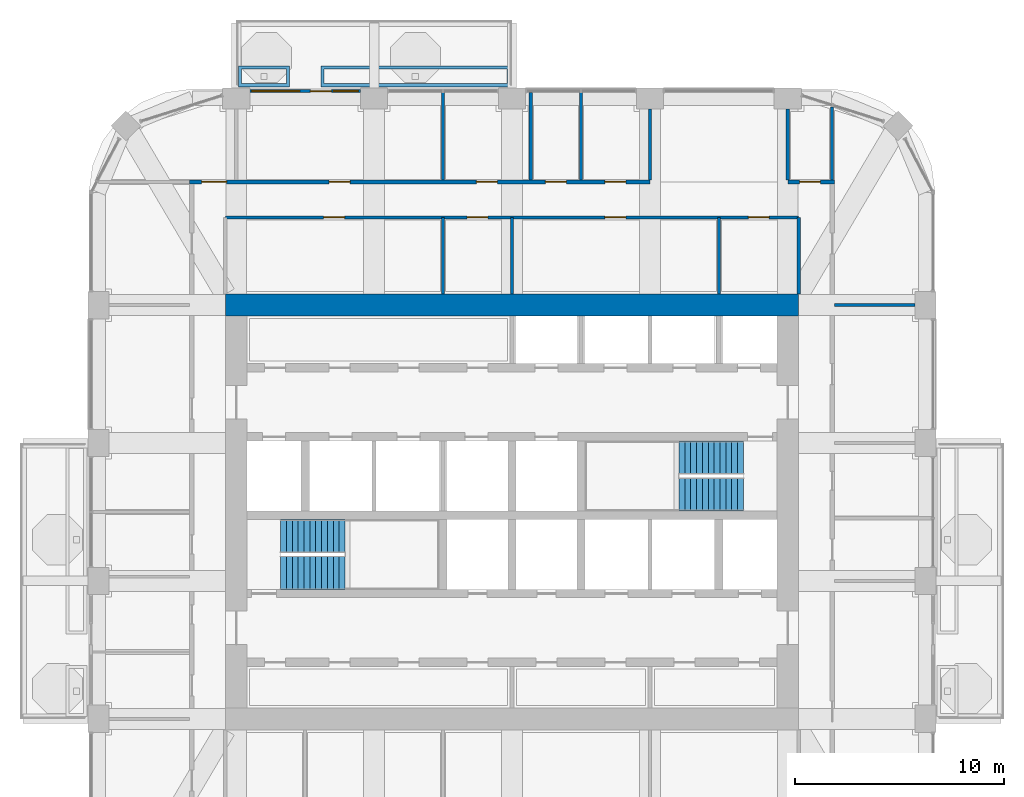
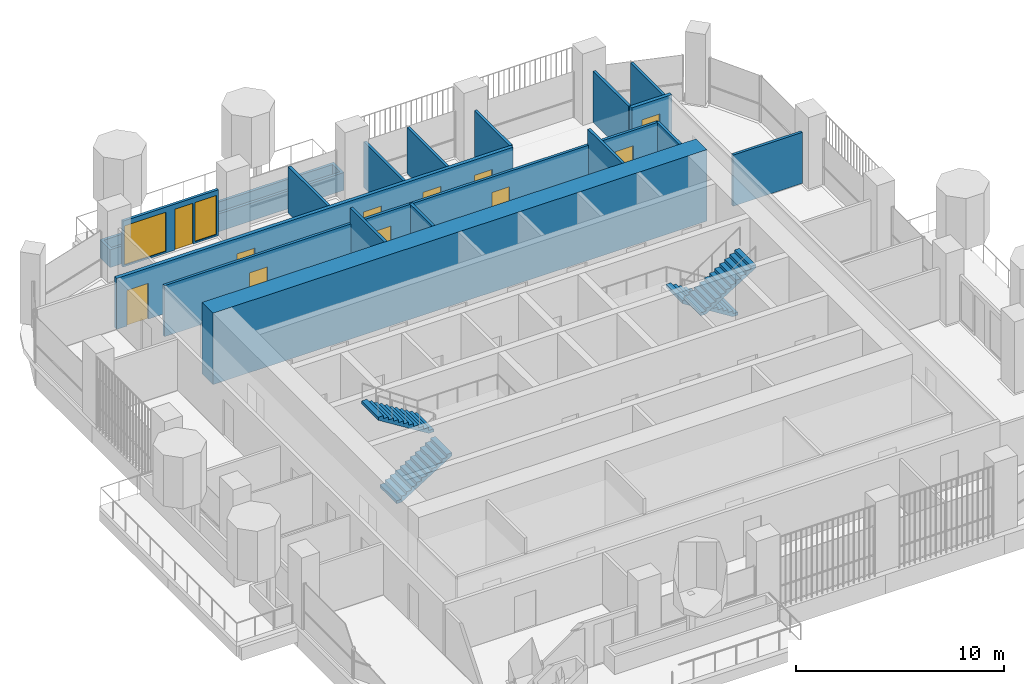
# One storey, part 15 of 20: 18 walls, 11 doors, 4 stair flights, 2 windows, 13 openings, 2 elements without a shape of their own.
"""IFC4 building model written with IfcOpenShell, lengths in metres."""

from ifc_helpers import new_model, si_unit, direction, frame, frame_2d, origin, place, context, subcontext, project, spatial, polyline, rectangle, outline, extrude, material, layer, layer_set, type_object, element, fill, aggregate, save


model = new_model("IFC4")

# Units and contexts
model_context = context("Model", 3, precision=1e-05, world=origin(), true_north=direction((0.0, 1.0)))
body_context = subcontext(model_context, "Body", "Model", "MODEL_VIEW")
ifc_project = project(units=[si_unit("LENGTHUNIT", "METRE"), si_unit("AREAUNIT", "SQUARE_METRE"), si_unit("VOLUMEUNIT", "CUBIC_METRE"), si_unit("PLANEANGLEUNIT", "RADIAN"), si_unit("MASSUNIT", "GRAM", prefix="KILO")], contexts=[model_context])

# Site, building, storey
site_placement = place(None, origin())
site = spatial("IfcSite", under=ifc_project, at=site_placement, CompositionType="ELEMENT")
building_placement = place(site_placement, origin())
building = spatial("IfcBuilding", under=site, at=building_placement, Name="Cobogo Forest Laboratory Tower", CompositionType="ELEMENT")
storey_placement = place(building_placement, frame((0.0, 0.0, 246.0)))
storey = spatial("IfcBuildingStorey", under=building, at=storey_placement, Name="L56", CompositionType="ELEMENT", Elevation=246.0)

# Wall
ifc_material_1 = material(Name="Concrete HA-50 (C50/60)", Category="concrete")
ifc_layer_1 = layer(ifc_material_1, 1.050048828125)
ifc_layer_set_1 = layer_set([ifc_layer_1], Name="CW1050 core outer wall 1050")
wall_type_1 = type_object("IfcWallType", Name="CW1050 core outer wall 1050", PredefinedType="SHEAR", material=ifc_layer_set_1)
wall_1_placement = place(storey_placement, frame((40.125, 33.0, 0.0), z_axis=(0.0, 0.0, 1.0), x_axis=(-1.0, 0.0, 0.0)))
element("IfcWall", 1, at=wall_1_placement, inside=storey, type_object=wall_type_1, Name="Core wall CO-N L56", PredefinedType="SHEAR", context=body_context, shape_type="SweptSolid", body=[
    extrude(rectangle(XDim=27.449951171875, YDim=1.050048828125, at=frame_2d((13.72509765625, 0.0))), origin(), (0.0, 0.0, 1.0), 4.199951171875),
])

# Wall, openings, door, windows
ifc_material_2 = material(Name="Aluminium framed glazed screen", Category="aluminium")
ifc_layer_2 = layer(ifc_material_2, 0.14990234375)
ifc_layer_set_2 = layer_set([ifc_layer_2], Name="GS1 glazed door screen 150")
wall_type_2 = type_object("IfcWallType", Name="GS1 glazed door screen 150", PredefinedType="SOLIDWALL", material=ifc_layer_set_2)
wall_2_placement = place(storey_placement, frame((19.14990234375, 43.25, 0.0), z_axis=(0.0, 0.0, 1.0), x_axis=(-1.0, 0.0, 0.0)))
wall_2 = element("IfcWall", 2, at=wall_2_placement, inside=storey, type_object=wall_type_2, Name="Door screen BAL-N1 L56", PredefinedType="SOLIDWALL", context=body_context, shape_type="SweptSolid", body=[
    extrude(rectangle(XDim=5.2998046875, YDim=0.14990234375, at=frame_2d((2.64990234375, 0.0))), origin(), (0.0, 0.0, 1.0), 2.699951171875),
])
opening_1_placement = place(wall_2_placement, frame((1.39990234375, 0.0, 0.0)))
opening_1 = element("IfcOpeningElement", 3, at=opening_1_placement, cuts=wall_2, Name="Opening L56-D52", PredefinedType="OPENING", context=body_context, shape_type="SweptSolid", body=[
    extrude(rectangle(XDim=1.0, YDim=2.39990234375, at=frame_2d((0.5, 1.199951171875))), frame((0.0, 0.0849609375, 0.0), z_axis=(0.0, -1.0, 0.0), x_axis=(1.0, 0.0, 0.0)), (0.0, 0.0, 1.0), 0.169921875),
])
opening_2_placement = place(wall_2_placement, frame((0.10009765625, 0.0, 0.10009765625)))
opening_2 = element("IfcOpeningElement", 4, at=opening_2_placement, cuts=wall_2, Name="Opening L56-W08", PredefinedType="OPENING", context=body_context, shape_type="SweptSolid", body=[
    extrude(rectangle(XDim=1.199951171875, YDim=2.300048828125, at=frame_2d((0.60009765625, 1.14990234375))), frame((0.0, 0.0849609375, 0.0), z_axis=(0.0, -1.0, 0.0), x_axis=(1.0, 0.0, 0.0)), (0.0, 0.0, 1.0), 0.169921875),
])
opening_3_placement = place(wall_2_placement, frame((2.89990234375, 0.0, 0.10009765625)))
opening_3 = element("IfcOpeningElement", 5, at=opening_3_placement, cuts=wall_2, Name="Opening L56-W07", PredefinedType="OPENING", context=body_context, shape_type="SweptSolid", body=[
    extrude(rectangle(XDim=2.300048828125, YDim=2.300048828125, at=frame_2d((1.14990234375, 1.14990234375))), frame((0.0, 0.0849609375, 0.0), z_axis=(0.0, -1.0, 0.0), x_axis=(1.0, 0.0, 0.0)), (0.0, 0.0, 1.0), 0.169921875),
])
ifc_material_3 = material(Name="Aluminium glazed door", Category="aluminium")
door_type_1 = type_object("IfcDoorType", Name="DB1 balcony door 1000 glazed", OperationType="SINGLE_SWING_LEFT", PredefinedType="DOOR", material=ifc_material_3)
door_1_placement = place(opening_1_placement, origin())
door_1 = element("IfcDoor", 6, at=door_1_placement, inside=storey, type_object=door_type_1, Name="Door L56-BAL-N1", OperationType="SINGLE_SWING_LEFT", OverallHeight=2.39990234375, OverallWidth=1.0, PredefinedType="DOOR", context=body_context, shape_type="SweptSolid", body=[
    extrude(rectangle(XDim=1.0, YDim=2.39990234375, at=frame_2d((0.5, 1.199951171875))), frame((0.0, 0.02490234375, 0.0), z_axis=(0.0, -1.0, 0.0), x_axis=(1.0, 0.0, 0.0)), (0.0, 0.0, 1.0), 0.050048828125),
])
fill(opening_1, door_1)
ifc_material_4 = material(Name="Aluminium framed glazing", Category="aluminium")
window_type_1 = type_object("IfcWindowType", Name="WG21 fixed glazed light 2300x2300", PartitioningType="SINGLE_PANEL", PredefinedType="WINDOW", material=ifc_material_4)
window_1_placement = place(opening_3_placement, origin())
window_1 = element("IfcWindow", 7, at=window_1_placement, inside=storey, type_object=window_type_1, Name="Window L56-BAL-N1-2", OverallHeight=2.300048828125, OverallWidth=2.300048828125, PartitioningType="SINGLE_PANEL", PredefinedType="WINDOW", context=body_context, shape_type="SweptSolid", body=[
    extrude(rectangle(XDim=2.300048828125, YDim=2.300048828125, at=frame_2d((1.14990234375, 1.14990234375))), frame((0.0, 0.030029296875, 0.0), z_axis=(0.0, -1.0, 0.0), x_axis=(1.0, 0.0, 0.0)), (0.0, 0.0, 1.0), 0.06005859375),
])
fill(opening_3, window_1)
window_type_2 = type_object("IfcWindowType", Name="WG22 fixed glazed light 1200x2300", PartitioningType="SINGLE_PANEL", PredefinedType="WINDOW", material=ifc_material_4)
window_2_placement = place(opening_2_placement, origin())
window_2 = element("IfcWindow", 8, at=window_2_placement, inside=storey, type_object=window_type_2, Name="Window L56-BAL-N1-1", OverallHeight=2.300048828125, OverallWidth=1.199951171875, PartitioningType="SINGLE_PANEL", PredefinedType="WINDOW", context=body_context, shape_type="SweptSolid", body=[
    extrude(rectangle(XDim=1.199951171875, YDim=2.300048828125, at=frame_2d((0.60009765625, 1.14990234375))), frame((0.0, 0.030029296875, 0.0), z_axis=(0.0, -1.0, 0.0), x_axis=(1.0, 0.0, 0.0)), (0.0, 0.0, 1.0), 0.06005859375),
])
fill(opening_2, window_2)

# Wall, openings, doors
ifc_material_5 = material(Name="Gypsum board on steel studs", Category="steel")
ifc_layer_3 = layer(ifc_material_5, 0.14990234375)
ifc_layer_set_3 = layer_set([ifc_layer_3], Name="PT1 laboratory partition 150")
wall_type_3 = type_object("IfcWallType", Name="PT1 laboratory partition 150", PredefinedType="PARTITIONING", material=ifc_layer_set_3)
wall_3_placement = place(storey_placement, frame((12.675048828125, 37.199951171875, 0.0), z_axis=(0.0, 0.0, 1.0), x_axis=(1.0, 0.0, 0.0)))
wall_3 = element("IfcWall", 9, at=wall_3_placement, inside=storey, type_object=wall_type_3, Name="Partition CSTRIP-N L56", PredefinedType="PARTITIONING", context=body_context, shape_type="SweptSolid", body=[
    extrude(rectangle(XDim=27.449951171875, YDim=0.14990234375, at=frame_2d((13.72509765625, 0.0))), origin(), (0.0, 0.0, 1.0), 3.0),
])
opening_4_placement = place(wall_3_placement, frame((4.71240234375, 0.0, 0.0)))
opening_4 = element("IfcOpeningElement", 10, at=opening_4_placement, cuts=wall_3, Name="Opening L56-D42", PredefinedType="OPENING", context=body_context, shape_type="SweptSolid", body=[
    extrude(rectangle(XDim=1.0, YDim=2.10009765625, at=frame_2d((0.5, 1.050048828125))), frame((0.0, 0.0849609375, 0.0), z_axis=(0.0, -1.0, 0.0), x_axis=(1.0, 0.0, 0.0)), (0.0, 0.0, 1.0), 0.169921875),
])
opening_5_placement = place(wall_3_placement, frame((11.574951171875, 0.0, 0.0)))
opening_5 = element("IfcOpeningElement", 11, at=opening_5_placement, cuts=wall_3, Name="Opening L56-D43", PredefinedType="OPENING", context=body_context, shape_type="SweptSolid", body=[
    extrude(rectangle(XDim=1.0, YDim=2.10009765625, at=frame_2d((0.5, 1.050048828125))), frame((0.0, 0.0849609375, 0.0), z_axis=(0.0, -1.0, 0.0), x_axis=(1.0, 0.0, 0.0)), (0.0, 0.0, 1.0), 0.169921875),
])
opening_6_placement = place(wall_3_placement, frame((18.175048828125, 0.0, 0.0)))
opening_6 = element("IfcOpeningElement", 12, at=opening_6_placement, cuts=wall_3, Name="Opening L56-D44", PredefinedType="OPENING", context=body_context, shape_type="SweptSolid", body=[
    extrude(rectangle(XDim=1.0, YDim=2.10009765625, at=frame_2d((0.5, 1.050048828125))), frame((0.0, 0.0849609375, 0.0), z_axis=(0.0, -1.0, 0.0), x_axis=(1.0, 0.0, 0.0)), (0.0, 0.0, 1.0), 0.169921875),
])
opening_7_placement = place(wall_3_placement, frame((25.03759765625, 0.0, 0.0)))
opening_7 = element("IfcOpeningElement", 13, at=opening_7_placement, cuts=wall_3, Name="Opening L56-D45", PredefinedType="OPENING", context=body_context, shape_type="SweptSolid", body=[
    extrude(rectangle(XDim=1.0, YDim=2.10009765625, at=frame_2d((0.5, 1.050048828125))), frame((0.0, 0.0849609375, 0.0), z_axis=(0.0, -1.0, 0.0), x_axis=(1.0, 0.0, 0.0)), (0.0, 0.0, 1.0), 0.169921875),
])
ifc_material_6 = material(Name="Timber fire door", Category="wood")
door_type_2 = type_object("IfcDoorType", Name="FD2 fire door 1000 EI2 30", OperationType="SINGLE_SWING_LEFT", PredefinedType="DOOR", material=ifc_material_6)
door_2_placement = place(opening_4_placement, origin())
door_2 = element("IfcDoor", 14, at=door_2_placement, inside=storey, type_object=door_type_2, Name="Door L56-CSN1", OperationType="SINGLE_SWING_LEFT", OverallHeight=2.10009765625, OverallWidth=1.0, PredefinedType="DOOR", context=body_context, shape_type="SweptSolid", body=[
    extrude(rectangle(XDim=1.0, YDim=2.10009765625, at=frame_2d((0.5, 1.050048828125))), frame((0.0, 0.02490234375, 0.0), z_axis=(0.0, -1.0, 0.0), x_axis=(1.0, 0.0, 0.0)), (0.0, 0.0, 1.0), 0.050048828125),
])
fill(opening_4, door_2)
door_3_placement = place(opening_5_placement, origin())
door_3 = element("IfcDoor", 15, at=door_3_placement, inside=storey, type_object=door_type_2, Name="Door L56-CSN2", OperationType="SINGLE_SWING_LEFT", OverallHeight=2.10009765625, OverallWidth=1.0, PredefinedType="DOOR", context=body_context, shape_type="SweptSolid", body=[
    extrude(rectangle(XDim=1.0, YDim=2.10009765625, at=frame_2d((0.5, 1.050048828125))), frame((0.0, 0.02490234375, 0.0), z_axis=(0.0, -1.0, 0.0), x_axis=(1.0, 0.0, 0.0)), (0.0, 0.0, 1.0), 0.050048828125),
])
fill(opening_5, door_3)
door_4_placement = place(opening_6_placement, origin())
door_4 = element("IfcDoor", 16, at=door_4_placement, inside=storey, type_object=door_type_2, Name="Door L56-CSN3", OperationType="SINGLE_SWING_RIGHT", OverallHeight=2.10009765625, OverallWidth=1.0, PredefinedType="DOOR", context=body_context, shape_type="SweptSolid", body=[
    extrude(rectangle(XDim=1.0, YDim=2.10009765625, at=frame_2d((0.5, 1.050048828125))), frame((0.0, 0.02490234375, 0.0), z_axis=(0.0, -1.0, 0.0), x_axis=(1.0, 0.0, 0.0)), (0.0, 0.0, 1.0), 0.050048828125),
])
fill(opening_6, door_4)
door_5_placement = place(opening_7_placement, origin())
door_5 = element("IfcDoor", 17, at=door_5_placement, inside=storey, type_object=door_type_2, Name="Door L56-CSN4", OperationType="SINGLE_SWING_RIGHT", OverallHeight=2.10009765625, OverallWidth=1.0, PredefinedType="DOOR", context=body_context, shape_type="SweptSolid", body=[
    extrude(rectangle(XDim=1.0, YDim=2.10009765625, at=frame_2d((0.5, 1.050048828125))), frame((0.0, 0.02490234375, 0.0), z_axis=(0.0, -1.0, 0.0), x_axis=(1.0, 0.0, 0.0)), (0.0, 0.0, 1.0), 0.050048828125),
])
fill(opening_7, door_5)

# Walls
wall_4_placement = place(storey_placement, frame((40.125, 33.52490234375, 0.0), z_axis=(0.0, 0.0, 1.0), x_axis=(0.0, 1.0, 0.0)))
element("IfcWall", 18, at=wall_4_placement, inside=storey, type_object=wall_type_3, Name="Partition CSTRIP-NE L56", PredefinedType="PARTITIONING", context=body_context, shape_type="SweptSolid", body=[
    extrude(rectangle(XDim=3.675048828125, YDim=0.14990234375, at=frame_2d((1.83740234375, 0.0))), origin(), (0.0, 0.0, 1.0), 3.0),
])
wall_5_placement = place(storey_placement, frame((23.10009765625, 33.52490234375, 0.0), z_axis=(0.0, 0.0, 1.0), x_axis=(0.0, 1.0, 0.0)))
element("IfcWall", 19, at=wall_5_placement, inside=storey, type_object=wall_type_3, Name="Partition CSTRIP-N23.1 L56", PredefinedType="PARTITIONING", context=body_context, shape_type="SweptSolid", body=[
    extrude(rectangle(XDim=3.675048828125, YDim=0.14990234375, at=frame_2d((1.83740234375, 0.0))), origin(), (0.0, 0.0, 1.0), 3.89990234375),
])
wall_6_placement = place(storey_placement, frame((26.39990234375, 33.52490234375, 0.0), z_axis=(0.0, 0.0, 1.0), x_axis=(0.0, 1.0, 0.0)))
element("IfcWall", 20, at=wall_6_placement, inside=storey, type_object=wall_type_3, Name="Partition CSTRIP-N26.4 L56", PredefinedType="PARTITIONING", context=body_context, shape_type="SweptSolid", body=[
    extrude(rectangle(XDim=3.675048828125, YDim=0.14990234375, at=frame_2d((1.83740234375, 0.0))), origin(), (0.0, 0.0, 1.0), 3.0),
])
wall_7_placement = place(storey_placement, frame((36.300048828125, 33.52490234375, 0.0), z_axis=(0.0, 0.0, 1.0), x_axis=(0.0, 1.0, 0.0)))
element("IfcWall", 21, at=wall_7_placement, inside=storey, type_object=wall_type_3, Name="Partition CSTRIP-N36.3 L56", PredefinedType="PARTITIONING", context=body_context, shape_type="SweptSolid", body=[
    extrude(rectangle(XDim=3.675048828125, YDim=0.14990234375, at=frame_2d((1.83740234375, 0.0))), origin(), (0.0, 0.0, 1.0), 3.89990234375),
])
wall_8_placement = place(storey_placement, frame((41.72509765625, 42.4951171875, 0.0), z_axis=(0.0, 0.0, 1.0), x_axis=(0.0, -1.0, 0.0)))
element("IfcWall", 22, at=wall_8_placement, inside=storey, type_object=wall_type_3, Name="Partition PW-NE L56", PredefinedType="PARTITIONING", context=body_context, shape_type="SweptSolid", body=[
    extrude(rectangle(XDim=3.4951171875, YDim=0.14990234375, at=frame_2d((1.74755859375, 0.0))), origin(), (0.0, 0.0, 1.0), 2.699951171875),
])
wall_9_placement = place(storey_placement, frame((45.699951171875, 33.0, 0.0), z_axis=(0.0, 0.0, 1.0), x_axis=(-1.0, 0.0, 0.0)))
element("IfcWall", 23, at=wall_9_placement, inside=storey, type_object=wall_type_3, Name="Partition CUT-E33-1 L56", PredefinedType="PARTITIONING", context=body_context, shape_type="SweptSolid", body=[
    extrude(rectangle(XDim=3.875, YDim=0.14990234375, at=frame_2d((1.9375, 0.0))), origin(), (0.0, 0.0, 1.0), 3.0),
])
for number, where, z_axis, x_axis, name in (
    (24, (27.300048828125, 43.169921875, 0.0), (0.0, 0.0, 1.0), (0.0, -1.0, 0.0), "Partition SVC-N1-1 L56"),
    (25, (29.699951171875, 43.169921875, 0.0), (0.0, 0.0, 1.0), (0.0, -1.0, 0.0), "Partition SVC-N2-1 L56"),
    (26, (23.10009765625, 43.169921875, 0.0), (0.0, 0.0, 1.0), (0.0, -1.0, 0.0), "Partition CUT-N23.1-1 L56"),
):
    element("IfcWall", number, at=place(storey_placement, frame(where, z_axis=z_axis, x_axis=x_axis)), inside=storey, type_object=wall_type_3, Name=name, PredefinedType="PARTITIONING", context=body_context, shape_type="SweptSolid", body=[
        extrude(rectangle(XDim=4.169921875, YDim=0.14990234375, at=frame_2d((2.0849609375, 0.0))), origin(), (0.0, 0.0, 1.0), 2.699951171875),
    ])
for number, where, z_axis, x_axis, name in (
    (27, (33.0, 42.39990234375, 0.0), (0.0, 0.0, 1.0), (0.0, -1.0, 0.0), "Partition CUT-N33-1 L56"),
    (28, (39.60009765625, 42.39990234375, 0.0), (0.0, 0.0, 1.0), (0.0, -1.0, 0.0), "Partition CUT-N39.6-1 L56"),
):
    element("IfcWall", number, at=place(storey_placement, frame(where, z_axis=z_axis, x_axis=x_axis)), inside=storey, type_object=wall_type_3, Name=name, PredefinedType="PARTITIONING", context=body_context, shape_type="SweptSolid", body=[
        extrude(rectangle(XDim=3.39990234375, YDim=0.14990234375, at=frame_2d((1.699951171875, 0.0))), origin(), (0.0, 0.0, 1.0), 3.0),
    ])

# Wall, openings, doors
ifc_layer_4 = layer(ifc_material_5, 0.199951171875)
ifc_layer_set_4 = layer_set([ifc_layer_4], Name="PT2 fire-rated corridor partition 200")
wall_type_4 = type_object("IfcWallType", Name="PT2 fire-rated corridor partition 200", PredefinedType="PARTITIONING", material=ifc_layer_set_4)
wall_10_placement = place(storey_placement, frame((10.97509765625, 38.89990234375, 0.0), z_axis=(0.0, 0.0, 1.0), x_axis=(1.0, 0.0, 0.0)))
wall_10 = element("IfcWall", 29, at=wall_10_placement, inside=storey, type_object=wall_type_4, Name="Partition CORR-N-1 L56", PredefinedType="PARTITIONING", context=body_context, shape_type="SweptSolid", body=[
    extrude(rectangle(XDim=22.02490234375, YDim=0.199951171875, at=frame_2d((11.012451171875, 0.0))), origin(), (0.0, 0.0, 1.0), 3.0),
])
opening_8_placement = place(wall_10_placement, frame((0.5625, 0.0, 0.0)))
opening_8 = element("IfcOpeningElement", 30, at=opening_8_placement, cuts=wall_10, Name="Opening L56-D46", PredefinedType="OPENING", context=body_context, shape_type="SweptSolid", body=[
    extrude(rectangle(XDim=1.199951171875, YDim=2.10009765625, at=frame_2d((0.60009765625, 1.050048828125))), frame((0.0, 0.10986328125, 0.0), z_axis=(0.0, -1.0, 0.0), x_axis=(1.0, 0.0, 0.0)), (0.0, 0.0, 1.0), 0.219970703125),
])
opening_9_placement = place(wall_10_placement, frame((6.675048828125, 0.0, 0.0)))
opening_9 = element("IfcOpeningElement", 31, at=opening_9_placement, cuts=wall_10, Name="Opening L56-D47", PredefinedType="OPENING", context=body_context, shape_type="SweptSolid", body=[
    extrude(rectangle(XDim=1.0, YDim=2.10009765625, at=frame_2d((0.5, 1.050048828125))), frame((0.0, 0.10986328125, 0.0), z_axis=(0.0, -1.0, 0.0), x_axis=(1.0, 0.0, 0.0)), (0.0, 0.0, 1.0), 0.219970703125),
])
opening_10_placement = place(wall_10_placement, frame((13.72509765625, 0.0, 0.0)))
opening_10 = element("IfcOpeningElement", 32, at=opening_10_placement, cuts=wall_10, Name="Opening L56-D48", PredefinedType="OPENING", context=body_context, shape_type="SweptSolid", body=[
    extrude(rectangle(XDim=1.0, YDim=2.10009765625, at=frame_2d((0.5, 1.050048828125))), frame((0.0, 0.10986328125, 0.0), z_axis=(0.0, -1.0, 0.0), x_axis=(1.0, 0.0, 0.0)), (0.0, 0.0, 1.0), 0.219970703125),
])
opening_11_placement = place(wall_10_placement, frame((17.02490234375, 0.0, 0.0)))
opening_11 = element("IfcOpeningElement", 33, at=opening_11_placement, cuts=wall_10, Name="Opening L56-D49", PredefinedType="OPENING", context=body_context, shape_type="SweptSolid", body=[
    extrude(rectangle(XDim=1.0, YDim=2.10009765625, at=frame_2d((0.5, 1.050048828125))), frame((0.0, 0.10986328125, 0.0), z_axis=(0.0, -1.0, 0.0), x_axis=(1.0, 0.0, 0.0)), (0.0, 0.0, 1.0), 0.219970703125),
])
opening_12_placement = place(wall_10_placement, frame((19.875, 0.0, 0.0)))
opening_12 = element("IfcOpeningElement", 34, at=opening_12_placement, cuts=wall_10, Name="Opening L56-D50", PredefinedType="OPENING", context=body_context, shape_type="SweptSolid", body=[
    extrude(rectangle(XDim=1.0, YDim=2.10009765625, at=frame_2d((0.5, 1.050048828125))), frame((0.0, 0.10986328125, 0.0), z_axis=(0.0, -1.0, 0.0), x_axis=(1.0, 0.0, 0.0)), (0.0, 0.0, 1.0), 0.219970703125),
])
ifc_material_7 = material(Name="Timber door", Category="wood")
door_type_3 = type_object("IfcDoorType", Name="D2 laboratory door 1200 unequal pair", OperationType="DOUBLE_DOOR_SINGLE_SWING", PredefinedType="DOOR", material=ifc_material_7)
door_6_placement = place(opening_8_placement, origin())
door_6 = element("IfcDoor", 35, at=door_6_placement, inside=storey, type_object=door_type_3, Name="Door L56-N1", OperationType="DOUBLE_DOOR_SINGLE_SWING", OverallHeight=2.10009765625, OverallWidth=1.199951171875, PredefinedType="DOOR", context=body_context, shape_type="SweptSolid", body=[
    extrude(rectangle(XDim=1.199951171875, YDim=2.10009765625, at=frame_2d((0.60009765625, 1.050048828125))), frame((0.0, 0.02490234375, 0.0), z_axis=(0.0, -1.0, 0.0), x_axis=(1.0, 0.0, 0.0)), (0.0, 0.0, 1.0), 0.050048828125),
])
fill(opening_8, door_6)
door_7_placement = place(opening_9_placement, origin())
door_7 = element("IfcDoor", 36, at=door_7_placement, inside=storey, type_object=door_type_2, Name="Door L56-N2", OperationType="SINGLE_SWING_LEFT", OverallHeight=2.10009765625, OverallWidth=1.0, PredefinedType="DOOR", context=body_context, shape_type="SweptSolid", body=[
    extrude(rectangle(XDim=1.0, YDim=2.10009765625, at=frame_2d((0.5, 1.050048828125))), frame((0.0, 0.02490234375, 0.0), z_axis=(0.0, -1.0, 0.0), x_axis=(1.0, 0.0, 0.0)), (0.0, 0.0, 1.0), 0.050048828125),
])
fill(opening_9, door_7)
door_8_placement = place(opening_10_placement, origin())
door_8 = element("IfcDoor", 37, at=door_8_placement, inside=storey, type_object=door_type_2, Name="Door L56-MTG", OperationType="SINGLE_SWING_RIGHT", OverallHeight=2.10009765625, OverallWidth=1.0, PredefinedType="DOOR", context=body_context, shape_type="SweptSolid", body=[
    extrude(rectangle(XDim=1.0, YDim=2.10009765625, at=frame_2d((0.5, 1.050048828125))), frame((0.0, 0.02490234375, 0.0), z_axis=(0.0, -1.0, 0.0), x_axis=(1.0, 0.0, 0.0)), (0.0, 0.0, 1.0), 0.050048828125),
])
fill(opening_10, door_8)
door_9_placement = place(opening_11_placement, origin())
door_9 = element("IfcDoor", 38, at=door_9_placement, inside=storey, type_object=door_type_2, Name="Door L56-PAN", OperationType="SINGLE_SWING_RIGHT", OverallHeight=2.10009765625, OverallWidth=1.0, PredefinedType="DOOR", context=body_context, shape_type="SweptSolid", body=[
    extrude(rectangle(XDim=1.0, YDim=2.10009765625, at=frame_2d((0.5, 1.050048828125))), frame((0.0, 0.02490234375, 0.0), z_axis=(0.0, -1.0, 0.0), x_axis=(1.0, 0.0, 0.0)), (0.0, 0.0, 1.0), 0.050048828125),
])
fill(opening_11, door_9)
door_10_placement = place(opening_12_placement, origin())
door_10 = element("IfcDoor", 39, at=door_10_placement, inside=storey, type_object=door_type_2, Name="Door L56-N3", OperationType="SINGLE_SWING_RIGHT", OverallHeight=2.10009765625, OverallWidth=1.0, PredefinedType="DOOR", context=body_context, shape_type="SweptSolid", body=[
    extrude(rectangle(XDim=1.0, YDim=2.10009765625, at=frame_2d((0.5, 1.050048828125))), frame((0.0, 0.02490234375, 0.0), z_axis=(0.0, -1.0, 0.0), x_axis=(1.0, 0.0, 0.0)), (0.0, 0.0, 1.0), 0.050048828125),
])
fill(opening_12, door_10)

# Wall, opening, door
wall_11_placement = place(storey_placement, frame((39.60009765625, 38.89990234375, 0.0), z_axis=(0.0, 0.0, 1.0), x_axis=(1.0, 0.0, 0.0)))
wall_11 = element("IfcWall", 40, at=wall_11_placement, inside=storey, type_object=wall_type_4, Name="Partition CORR-N-2 L56", PredefinedType="PARTITIONING", context=body_context, shape_type="SweptSolid", body=[
    extrude(rectangle(XDim=2.224853515625, YDim=0.199951171875, at=frame_2d((1.1123046875, 0.0))), origin(), (0.0, 0.0, 1.0), 3.0),
])
opening_13_placement = place(wall_11_placement, frame((0.5625, 0.0, 0.0)))
opening_13 = element("IfcOpeningElement", 41, at=opening_13_placement, cuts=wall_11, Name="Opening L56-D51", PredefinedType="OPENING", context=body_context, shape_type="SweptSolid", body=[
    extrude(rectangle(XDim=1.0, YDim=2.10009765625, at=frame_2d((0.5, 1.050048828125))), frame((0.0, 0.10986328125, 0.0), z_axis=(0.0, -1.0, 0.0), x_axis=(1.0, 0.0, 0.0)), (0.0, 0.0, 1.0), 0.219970703125),
])
door_11_placement = place(opening_13_placement, origin())
door_11 = element("IfcDoor", 42, at=door_11_placement, inside=storey, type_object=door_type_2, Name="Door L56-N5", OperationType="SINGLE_SWING_LEFT", OverallHeight=2.10009765625, OverallWidth=1.0, PredefinedType="DOOR", context=body_context, shape_type="SweptSolid", body=[
    extrude(rectangle(XDim=1.0, YDim=2.10009765625, at=frame_2d((0.5, 1.050048828125))), frame((0.0, 0.02490234375, 0.0), z_axis=(0.0, -1.0, 0.0), x_axis=(1.0, 0.0, 0.0)), (0.0, 0.0, 1.0), 0.050048828125),
])
fill(opening_13, door_11)

# Walls
ifc_material_8 = material(Name="Concrete HA-40 (C40/50)", Category="concrete")
ifc_layer_5 = layer(ifc_material_8, 0.14990234375)
ifc_layer_set_5 = layer_set([ifc_layer_5], Name="Planter box 1000x1050")
wall_type_5 = type_object("IfcWallType", Name="Planter box 1000x1050", PredefinedType="USERDEFINED", material=ifc_layer_set_5)
wall_12_placement = place(storey_placement, origin())
element("IfcWall", 43, at=wall_12_placement, inside=storey, type_object=wall_type_5, Name="Planter BAL-N1-1 L56", ObjectType="PLANTER", PredefinedType="USERDEFINED", context=body_context, shape_type="SweptSolid", body=[
    extrude(outline(polyline([(13.300048828125, 43.449951171875), (15.75, 43.449951171875), (15.75, 44.449951171875), (13.300048828125, 44.449951171875), (13.300048828125, 43.449951171875)]), holes=[polyline([(13.449951171875, 43.60009765625), (15.60009765625, 43.60009765625), (15.60009765625, 44.300048828125), (13.449951171875, 44.300048828125), (13.449951171875, 43.60009765625)])]), origin(), (0.0, 0.0, 1.0), 1.050048828125),
])
wall_13_placement = place(storey_placement, origin())
element("IfcWall", 44, at=wall_13_placement, inside=storey, type_object=wall_type_5, Name="Planter BAL-N1-2 L56", ObjectType="PLANTER", PredefinedType="USERDEFINED", context=body_context, shape_type="SweptSolid", body=[
    extrude(outline(polyline([(17.25, 43.449951171875), (26.300048828125, 43.449951171875), (26.300048828125, 44.449951171875), (17.25, 44.449951171875), (17.25, 43.449951171875)]), holes=[polyline([(17.39990234375, 43.60009765625), (26.14990234375, 43.60009765625), (26.14990234375, 44.300048828125), (17.39990234375, 44.300048828125), (17.39990234375, 43.60009765625)])]), origin(), (0.0, 0.0, 1.0), 1.050048828125),
])

# Stair, stair flights
ifc_material_9 = material(Name="Precast concrete HA-40 (C40/50)", Category="concrete")
stair_type = type_object("IfcStairType", Name="ST24 exit stair 24 risers", PredefinedType="HALF_TURN_STAIR", material=ifc_material_9)
stair_1_placement = place(storey_placement, origin())
stair_1 = element("IfcStair", 45, at=stair_1_placement, inside=storey, type_object=stair_type, Name="Stair 1 L56 to L57", PredefinedType="HALF_TURN_STAIR")
stair_flight_type = type_object("IfcStairFlightType", Name="ST stair flight 280 going", PredefinedType="STRAIGHT", material=ifc_material_9)
stair_flight_1_placement = place(storey_placement, frame((15.324951171875, 20.199951171875, 0.0), z_axis=(0.0, 0.0, 1.0), x_axis=(1.0, 0.0, 0.0)))
stair_flight_1 = element("IfcStairFlight", 46, at=stair_flight_1_placement, type_object=stair_flight_type, Name="ST1 flight 1", NumberOfRisers=12, NumberOfTreads=11, PredefinedType="STRAIGHT", RiserHeight=0.175, TreadLength=0.28, context=body_context, shape_type="SweptSolid", body=[
    extrude(outline(polyline([(0.0, 0.0), (0.0, 0.175048828125), (0.280029296875, 0.175048828125), (0.280029296875, 0.35009765625), (0.56005859375, 0.35009765625), (0.56005859375, 0.52490234375), (0.840087890625, 0.52490234375), (0.840087890625, 0.699951171875), (1.1201171875, 0.699951171875), (1.1201171875, 0.875), (1.39990234375, 0.875), (1.39990234375, 1.050048828125), (1.679931640625, 1.050048828125), (1.679931640625, 1.22509765625), (1.9599609375, 1.22509765625), (1.9599609375, 1.39990234375), (2.239990234375, 1.39990234375), (2.239990234375, 1.574951171875), (2.52001953125, 1.574951171875), (2.52001953125, 1.75), (2.800048828125, 1.75), (2.800048828125, 1.925048828125), (3.080078125, 1.925048828125), (3.080078125, 2.10009765625), (3.080078125, 1.748291015625), (0.28271484375, 0.0), (0.0, 0.0)])), frame((0.0, 0.800048828125, 0.0), z_axis=(0.0, -1.0, 0.0), x_axis=(1.0, 0.0, 0.0)), (0.0, 0.0, 1.0), 1.60009765625),
])
stair_flight_2_placement = place(storey_placement, frame((18.405029296875, 21.949951171875, 2.10009765625), z_axis=(0.0, 0.0, 1.0), x_axis=(-1.0, 0.0, 0.0)))
stair_flight_2 = element("IfcStairFlight", 47, at=stair_flight_2_placement, type_object=stair_flight_type, Name="ST1 flight 2", NumberOfRisers=12, NumberOfTreads=11, PredefinedType="STRAIGHT", RiserHeight=0.175, TreadLength=0.28, context=body_context, shape_type="SweptSolid", body=[
    extrude(outline(polyline([(0.0, 0.0), (0.0, 0.175048828125), (0.280029296875, 0.175048828125), (0.280029296875, 0.35009765625), (0.56005859375, 0.35009765625), (0.56005859375, 0.52490234375), (0.840087890625, 0.52490234375), (0.840087890625, 0.699951171875), (1.1201171875, 0.699951171875), (1.1201171875, 0.875), (1.39990234375, 0.875), (1.39990234375, 1.050048828125), (1.679931640625, 1.050048828125), (1.679931640625, 1.22509765625), (1.9599609375, 1.22509765625), (1.9599609375, 1.39990234375), (2.239990234375, 1.39990234375), (2.239990234375, 1.574951171875), (2.52001953125, 1.574951171875), (2.52001953125, 1.75), (2.800048828125, 1.75), (2.800048828125, 1.925048828125), (3.080078125, 1.925048828125), (3.080078125, 2.10009765625), (3.080078125, 1.748291015625), (0.28271484375, 0.0), (0.0, 0.0)])), frame((0.0, 0.800048828125, 0.0), z_axis=(0.0, -1.0, 0.0), x_axis=(1.0, 0.0, 0.0)), (0.0, 0.0, 1.0), 1.60009765625),
])
aggregate(stair_1, [stair_flight_1, stair_flight_2])

stair_2_placement = place(storey_placement, origin())
stair_2 = element("IfcStair", 48, at=stair_2_placement, inside=storey, type_object=stair_type, Name="Stair 2 L56 to L57", PredefinedType="HALF_TURN_STAIR")
stair_flight_3_placement = place(storey_placement, frame((37.47509765625, 25.699951171875, 0.0), z_axis=(0.0, 0.0, 1.0), x_axis=(-1.0, 0.0, 0.0)))
stair_flight_3 = element("IfcStairFlight", 49, at=stair_flight_3_placement, type_object=stair_flight_type, Name="ST2 flight 1", NumberOfRisers=12, NumberOfTreads=11, PredefinedType="STRAIGHT", RiserHeight=0.175, TreadLength=0.28, context=body_context, shape_type="SweptSolid", body=[
    extrude(outline(polyline([(0.0, 0.0), (0.0, 0.175048828125), (0.280029296875, 0.175048828125), (0.280029296875, 0.35009765625), (0.56005859375, 0.35009765625), (0.56005859375, 0.52490234375), (0.840087890625, 0.52490234375), (0.840087890625, 0.699951171875), (1.1201171875, 0.699951171875), (1.1201171875, 0.875), (1.39990234375, 0.875), (1.39990234375, 1.050048828125), (1.679931640625, 1.050048828125), (1.679931640625, 1.22509765625), (1.9599609375, 1.22509765625), (1.9599609375, 1.39990234375), (2.239990234375, 1.39990234375), (2.239990234375, 1.574951171875), (2.52001953125, 1.574951171875), (2.52001953125, 1.75), (2.800048828125, 1.75), (2.800048828125, 1.925048828125), (3.080078125, 1.925048828125), (3.080078125, 2.10009765625), (3.080078125, 1.748291015625), (0.28271484375, 0.0), (0.0, 0.0)])), frame((0.0, 0.800048828125, 0.0), z_axis=(0.0, -1.0, 0.0), x_axis=(1.0, 0.0, 0.0)), (0.0, 0.0, 1.0), 1.60009765625),
])
stair_flight_4_placement = place(storey_placement, frame((34.39501953125, 23.949951171875, 2.10009765625), z_axis=(0.0, 0.0, 1.0), x_axis=(1.0, 0.0, 0.0)))
stair_flight_4 = element("IfcStairFlight", 50, at=stair_flight_4_placement, type_object=stair_flight_type, Name="ST2 flight 2", NumberOfRisers=12, NumberOfTreads=11, PredefinedType="STRAIGHT", RiserHeight=0.175, TreadLength=0.28, context=body_context, shape_type="SweptSolid", body=[
    extrude(outline(polyline([(0.0, 0.0), (0.0, 0.175048828125), (0.280029296875, 0.175048828125), (0.280029296875, 0.35009765625), (0.56005859375, 0.35009765625), (0.56005859375, 0.52490234375), (0.840087890625, 0.52490234375), (0.840087890625, 0.699951171875), (1.1201171875, 0.699951171875), (1.1201171875, 0.875), (1.39990234375, 0.875), (1.39990234375, 1.050048828125), (1.679931640625, 1.050048828125), (1.679931640625, 1.22509765625), (1.9599609375, 1.22509765625), (1.9599609375, 1.39990234375), (2.239990234375, 1.39990234375), (2.239990234375, 1.574951171875), (2.52001953125, 1.574951171875), (2.52001953125, 1.75), (2.800048828125, 1.75), (2.800048828125, 1.925048828125), (3.080078125, 1.925048828125), (3.080078125, 2.10009765625), (3.080078125, 1.748291015625), (0.28271484375, 0.0), (0.0, 0.0)])), frame((0.0, 0.800048828125, 0.0), z_axis=(0.0, -1.0, 0.0), x_axis=(1.0, 0.0, 0.0)), (0.0, 0.0, 1.0), 1.60009765625),
])
aggregate(stair_2, [stair_flight_3, stair_flight_4])

save(model, "model.ifc")
